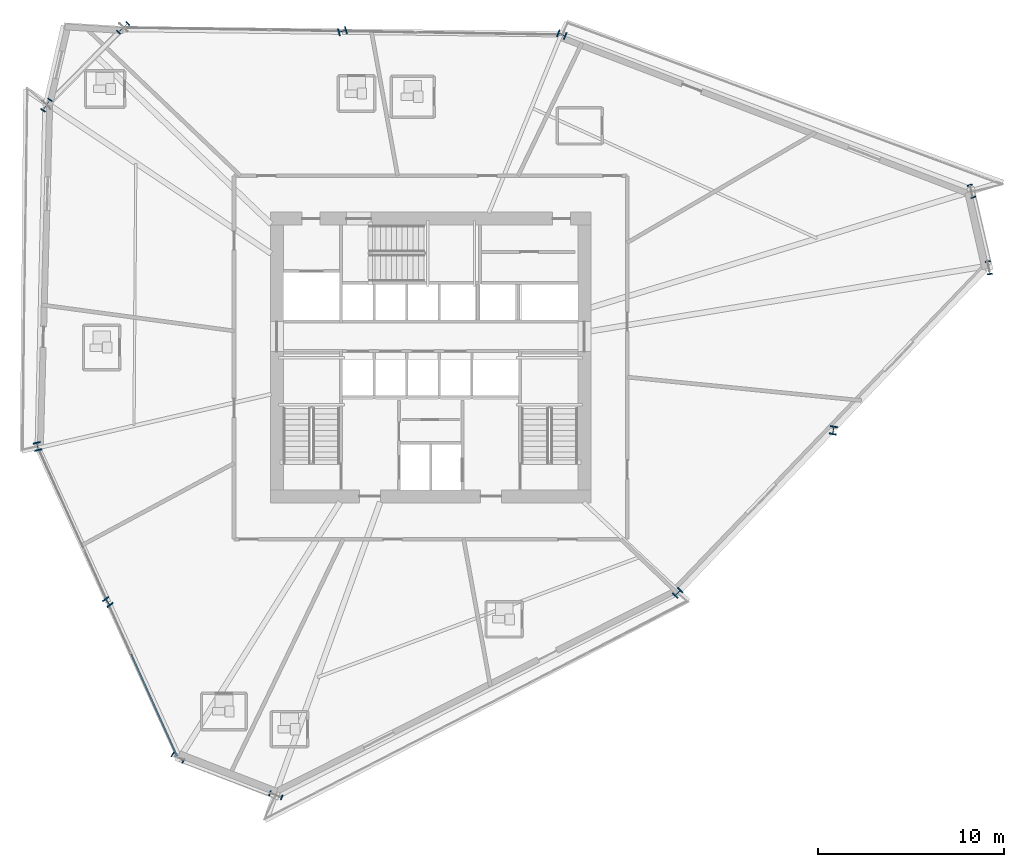
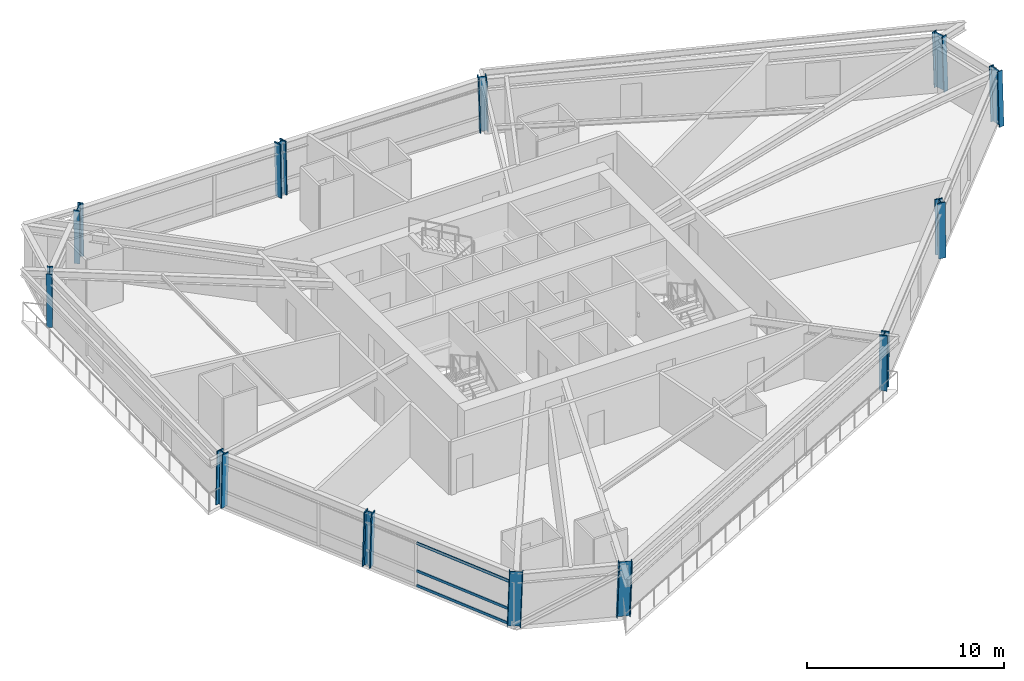
# One storey, part 1 of 22: 12 columns, 3 members, 1 element without a shape of its own.
"""IFC4 building model written with IfcOpenShell, lengths in metres."""

from ifc_helpers import new_model, si_unit, direction, frame, origin, origin_2d, place, context, subcontext, project, spatial, hollow_rectangle, i_section, extrude, source, transform, mapped, material, material_profile, profile_set, type_object, element, aggregate, save


model = new_model("IFC4")

# Units and contexts
model_context = context("Model", 3, precision=1e-05, world=origin(), true_north=direction((0.0, 1.0)))
body_context = subcontext(model_context, "Body", "Model", "MODEL_VIEW")
ifc_project = project(units=[si_unit("LENGTHUNIT", "METRE"), si_unit("AREAUNIT", "SQUARE_METRE"), si_unit("VOLUMEUNIT", "CUBIC_METRE"), si_unit("PLANEANGLEUNIT", "RADIAN"), si_unit("MASSUNIT", "GRAM", prefix="KILO")], contexts=[model_context])

# Site, building, storey
site_placement = place(None, origin())
site = spatial("IfcSite", under=ifc_project, at=site_placement, CompositionType="ELEMENT")
building_placement = place(site_placement, origin())
building = spatial("IfcBuilding", under=site, at=building_placement, Name="Olszyna Solenne Hotel", CompositionType="ELEMENT")
storey_placement = place(building_placement, frame((0.0, 0.0, 87.949951171875)))
storey = spatial("IfcBuildingStorey", under=building, at=storey_placement, Name="L22", CompositionType="ELEMENT", Elevation=87.949951171875)

# Columns
ifc_material_1 = material(Name="Steel S460M", Category="steel")
ifc_material_profile_1 = material_profile(ifc_material_1, i_section(OverallWidth=0.303955078125, OverallDepth=0.716064453125, WebThickness=0.02099609375, FlangeThickness=0.0400390625, at=origin_2d()), Name="HEM 700", Category="load-bearing")
ifc_profile_set_1 = profile_set([ifc_material_profile_1], Name="Steel S460M")
column_type_1 = type_object("IfcColumnType", Name="COL-K2", PredefinedType="COLUMN", material=ifc_profile_set_1)
shared_shape_1 = source(origin(), body_context, "Body", "SweptSolid", [
    extrude(i_section(OverallWidth=0.303955078125, OverallDepth=0.716064453125, WebThickness=0.02099609375, FlangeThickness=0.0400390625, at=origin_2d()), origin(), (0.0, 0.0, 1.0), 3.3876953125),
])
for number, where, z_axis, x_axis, name in (
    (1, (67.96240234375, 31.3916015625, 0.0), (-0.006197919852, 0.038628895821, 0.99923440403), (-0.987371566424, -0.158421557299, 0.0), "Perimeter framed-tube column COL-K2 C-L22-01"),
    (2, (67.033203125, 35.498046875, 0.0), (-0.011531036676, 0.037331731239, 0.999236396973), (-0.955459394798, -0.295122592988, 0.0), "Perimeter framed-tube column COL-K2 C-L22-02"),
):
    element("IfcColumn", number, at=place(storey_placement, frame(where, z_axis=z_axis, x_axis=x_axis)), inside=storey, type_object=column_type_1, Name=name, PredefinedType="COLUMN", context=body_context, shape_type="MappedRepresentation", body=[
        mapped(shared_shape_1, transform((0.0, 0.0, 0.0), x_axis=(1.0, 0.0, 0.0), y_axis=(0.0, 1.0, 0.0), z_axis=(0.0, 0.0, 1.0), scale=1.0)),
    ])
ifc_material_profile_2 = material_profile(ifc_material_1, i_section(OverallWidth=0.41796875, OverallDepth=0.455078125, WebThickness=0.03759765625, FlangeThickness=0.05908203125, at=origin_2d()), Name="HD 400x551", Category="load-bearing")
ifc_profile_set_2 = profile_set([ifc_material_profile_2], Name="Steel S460M")
column_type_2 = type_object("IfcColumnType", Name="COL-T2", PredefinedType="COLUMN", material=ifc_profile_set_2)
shared_shape_2 = source(origin(), body_context, "Body", "SweptSolid", [
    extrude(i_section(OverallWidth=0.41796875, OverallDepth=0.455078125, WebThickness=0.03759765625, FlangeThickness=0.05908203125, at=origin_2d()), origin(), (0.0, 0.0, 1.0), 3.385986328125),
])
for number, where, z_axis, x_axis, name in (
    (3, (45.047607421875, 43.919677734375, 0.0), (-0.022279894978, 0.009012902499, 0.999711145216), (-0.375008625298, -0.927021321736, 0.0), "Perimeter framed-tube column COL-T2 C-L22-03"),
    (4, (33.277587890625, 44.111328125, 0.0), (-0.022496586915, -0.006128877845, 0.999728133261), (0.262855729777, -0.964835149299, 0.0), "Perimeter framed-tube column COL-T2 C-L22-04"),
    (5, (51.24951171875, 13.95849609375, 0.0), (0.016223406344, 0.017088654682, 0.999722350939), (-0.72522859459, 0.688508159421, 0.0), "Perimeter framed-tube column COL-T2 C-L22-11"),
):
    element("IfcColumn", number, at=place(storey_placement, frame(where, z_axis=z_axis, x_axis=x_axis)), inside=storey, type_object=column_type_2, Name=name, PredefinedType="COLUMN", context=body_context, shape_type="MappedRepresentation", body=[
        mapped(shared_shape_2, transform((0.0, 0.0, 0.0), x_axis=(1.0, 0.0, 0.0), y_axis=(0.0, 1.0, 0.0), z_axis=(0.0, 0.0, 1.0), scale=1.0)),
    ])
shared_shape_3 = source(origin(), body_context, "Body", "SweptSolid", [
    extrude(i_section(OverallWidth=0.303955078125, OverallDepth=0.716064453125, WebThickness=0.02099609375, FlangeThickness=0.0400390625, at=origin_2d()), origin(), (0.0, 0.0, 1.0), 3.38671875),
])
for number, where, z_axis, x_axis, name in (
    (6, (21.507568359375, 44.30322265625, 0.0), (-0.022780095921, -0.021338317699, 0.999512753009), (0.683633765281, -0.729825235908, 0.0), "Perimeter framed-tube column COL-K2 C-L22-05"),
    (7, (17.396240234375, 40.16259765625, 0.0), (-0.017445187724, -0.026600306901, 0.999493916489), (0.836210294694, -0.548408919555, 0.0), "Perimeter framed-tube column COL-K2 C-L22-06"),
    (8, (24.42822265625, 5.134033203125, 0.0), (0.027752837816, -0.017444640913, 0.999462587842), (0.532171545218, 0.846636549211, 0.0), "Perimeter framed-tube column COL-K2 C-L22-09"),
    (9, (29.672119140625, 3.110595703125, 0.0), (0.030348511099, -0.010668835256, 0.999482437979), (0.331647716922, 0.943403302867, 0.0), "Perimeter framed-tube column COL-K2 C-L22-10"),
):
    element("IfcColumn", number, at=place(storey_placement, frame(where, z_axis=z_axis, x_axis=x_axis)), inside=storey, type_object=column_type_1, Name=name, PredefinedType="COLUMN", context=body_context, shape_type="MappedRepresentation", body=[
        mapped(shared_shape_3, transform((0.0, 0.0, 0.0), x_axis=(1.0, 0.0, 0.0), y_axis=(0.0, 1.0, 0.0), z_axis=(0.0, 0.0, 1.0), scale=1.0)),
    ])
shared_shape_4 = source(origin(), body_context, "Body", "SweptSolid", [
    extrude(i_section(OverallWidth=0.41796875, OverallDepth=0.455078125, WebThickness=0.03759765625, FlangeThickness=0.05908203125, at=origin_2d()), origin(), (0.0, 0.0, 1.0), 3.38623046875),
])
for number, where, z_axis, x_axis, name in (
    (10, (16.898681640625, 21.842529296875, 0.0), (0.006272350945, -0.027180187427, 0.999610871802), (0.974391195695, 0.224859506699, 0.0), "Perimeter framed-tube column COL-T2 C-L22-07"),
    (11, (20.66357421875, 13.48828125, 0.0), (0.016942485509, -0.022349661735, 0.999606645038), (0.796904634527, 0.604105126174, 0.0), "Perimeter framed-tube column COL-T2 C-L22-08"),
):
    element("IfcColumn", number, at=place(storey_placement, frame(where, z_axis=z_axis, x_axis=x_axis)), inside=storey, type_object=column_type_2, Name=name, PredefinedType="COLUMN", context=body_context, shape_type="MappedRepresentation", body=[
        mapped(shared_shape_4, transform((0.0, 0.0, 0.0), x_axis=(1.0, 0.0, 0.0), y_axis=(0.0, 1.0, 0.0), z_axis=(0.0, 0.0, 1.0), scale=1.0)),
    ])
shared_shape_5 = source(origin(), body_context, "Body", "SweptSolid", [
    extrude(i_section(OverallWidth=0.41796875, OverallDepth=0.455078125, WebThickness=0.03759765625, FlangeThickness=0.05908203125, at=origin_2d()), origin(), (0.0, 0.0, 1.0), 3.386474609375),
])
column_placement = place(storey_placement, frame((59.60595703125, 22.675048828125, 0.0), z_axis=(0.004974570686, 0.027828757753, 0.999600327075), x_axis=(-0.984396036209, 0.175967167094, 0.0)))
element("IfcColumn", 12, at=column_placement, inside=storey, type_object=column_type_2, Name="Perimeter framed-tube column COL-T2 C-L22-12", PredefinedType="COLUMN", context=body_context, shape_type="MappedRepresentation", body=[
    mapped(shared_shape_5, transform((0.0, 0.0, 0.0), x_axis=(1.0, 0.0, 0.0), y_axis=(0.0, 1.0, 0.0), z_axis=(0.0, 0.0, 1.0), scale=1.0)),
])

# Curtain wall, members
ifc_material_2 = material(Name="Anodised bronze aluminium", Category="aluminium")
curtain_wall_type = type_object("IfcCurtainWallType", Name="CW-SYS-3", PredefinedType="NOTDEFINED", material=ifc_material_2)
curtain_wall_placement = place(storey_placement, origin())
curtain_wall = element("IfcCurtainWall", 13, at=curtain_wall_placement, inside=storey, type_object=curtain_wall_type, Name="Unitised curtain wall CW-SYS-3 CW-L22-01", PredefinedType="NOTDEFINED")
ifc_material_profile_3 = material_profile(ifc_material_2, hollow_rectangle(XDim=0.074951171875, YDim=0.159912109375, WallThickness=0.00390625, at=origin_2d()), Name="TRAN 160x75x4", Category="load-bearing")
ifc_profile_set_3 = profile_set([ifc_material_profile_3], Name="Anodised bronze aluminium")
member_type = type_object("IfcMemberType", Name="CW-T1", PredefinedType="USERDEFINED", material=ifc_profile_set_3)
shared_shape_6 = source(origin(), body_context, "Body", "SweptSolid", [
    extrude(hollow_rectangle(XDim=0.074951171875, YDim=0.159912109375, WallThickness=0.00390625, at=origin_2d()), origin(), (0.0, 0.0, 1.0), 5.99658203125),
])
member_1_placement = place(storey_placement, frame((21.933837890625, 10.66943359375, 0.03759765625), z_axis=(0.410843707038, -0.911705790476, 0.0), x_axis=(0.911705790476, 0.410843707038, 0.0)))
member_1 = element("IfcMember", 14, at=member_1_placement, type_object=member_type, Name="Curtain-wall transom CW-T1 CT-L22-01-07", ObjectType="TRANSOM", PredefinedType="USERDEFINED", context=body_context, shape_type="MappedRepresentation", body=[
    mapped(shared_shape_6, transform((0.0, 0.0, 0.0), x_axis=(1.0, 0.0, 0.0), y_axis=(0.0, 1.0, 0.0), z_axis=(0.0, 0.0, 1.0), scale=1.0)),
])
member_2_placement = place(storey_placement, frame((21.933837890625, 10.66943359375, 0.949951171875), z_axis=(0.410843707038, -0.911705790476, 0.0), x_axis=(0.911705790476, 0.410843707038, 0.0)))
member_2 = element("IfcMember", 15, at=member_2_placement, type_object=member_type, Name="Curtain-wall transom CW-T1 CT-L22-01-08", ObjectType="TRANSOM", PredefinedType="USERDEFINED", context=body_context, shape_type="MappedRepresentation", body=[
    mapped(shared_shape_6, transform((0.0, 0.0, 0.0), x_axis=(1.0, 0.0, 0.0), y_axis=(0.0, 1.0, 0.0), z_axis=(0.0, 0.0, 1.0), scale=1.0)),
])
member_3_placement = place(storey_placement, frame((21.933837890625, 10.66943359375, 2.654541015625), z_axis=(0.410843707038, -0.911705790476, 0.0), x_axis=(0.911705790476, 0.410843707038, 0.0)))
member_3 = element("IfcMember", 16, at=member_3_placement, type_object=member_type, Name="Curtain-wall transom CW-T1 CT-L22-01-09", ObjectType="TRANSOM", PredefinedType="USERDEFINED", context=body_context, shape_type="MappedRepresentation", body=[
    mapped(shared_shape_6, transform((0.0, 0.0, 0.0), x_axis=(1.0, 0.0, 0.0), y_axis=(0.0, 1.0, 0.0), z_axis=(0.0, 0.0, 1.0), scale=1.0)),
])
aggregate(curtain_wall, [member_1, member_2, member_3])

save(model, "model.ifc")
